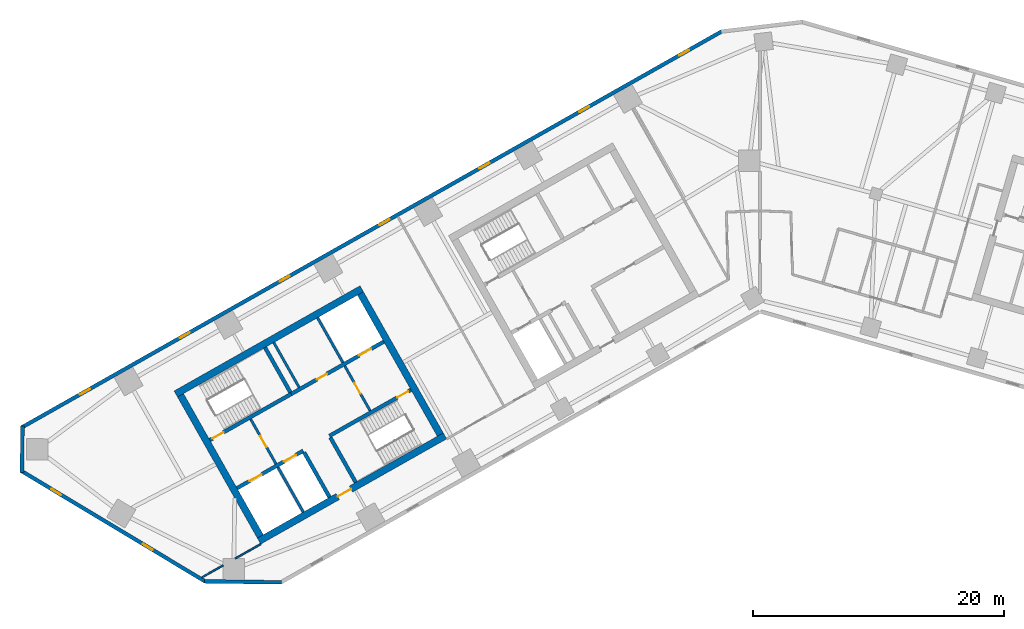
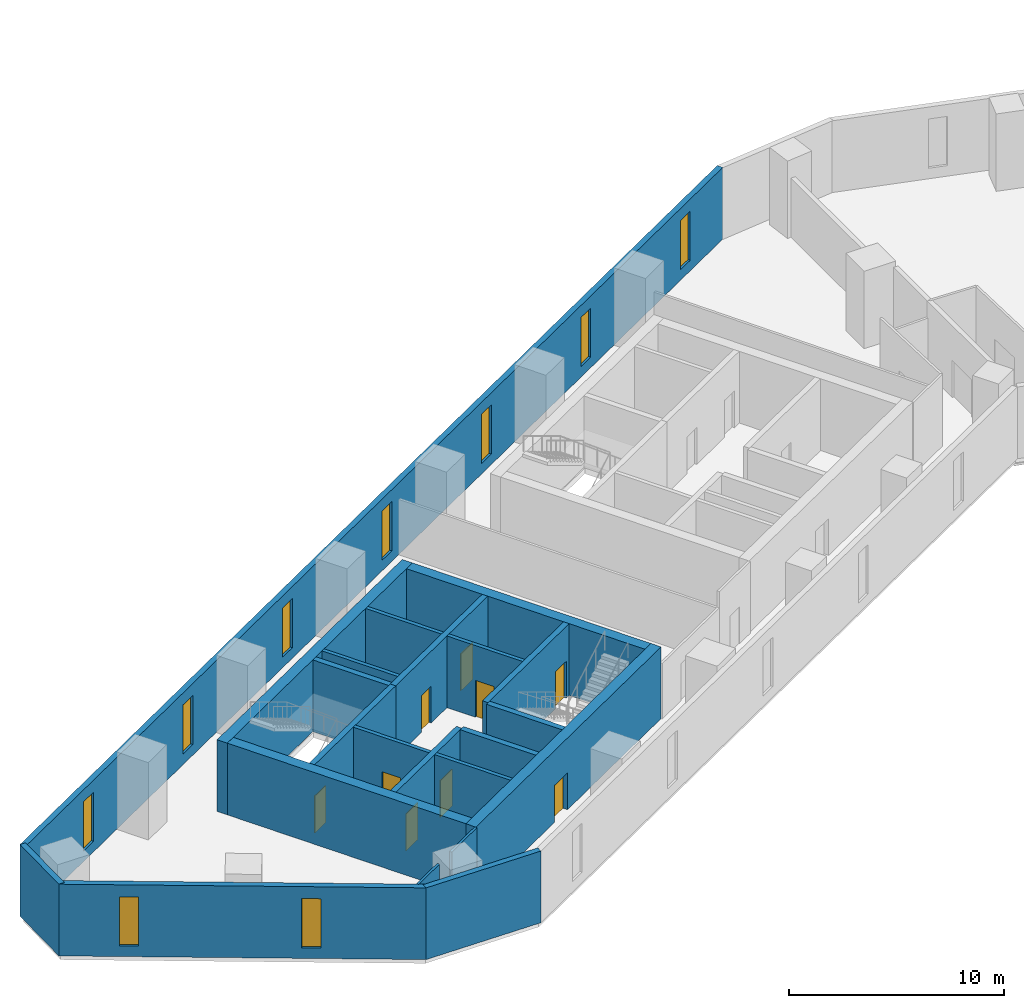
# One storey, part 3 of 10: 22 walls, 9 doors, 9 windows, 18 openings.
"""IFC4 building model written with IfcOpenShell, lengths in metres."""

from ifc_helpers import new_model, si_unit, direction, frame, frame_2d, origin, place, context, subcontext, project, spatial, rectangle, extrude, material, layer, layer_set, type_object, element, fill, save


model = new_model("IFC4")

# Units and contexts
model_context = context("Model", 3, precision=1e-05, world=origin(), true_north=direction((0.0, 1.0)))
body_context = subcontext(model_context, "Body", "Model", "MODEL_VIEW")
ifc_project = project(units=[si_unit("LENGTHUNIT", "METRE"), si_unit("AREAUNIT", "SQUARE_METRE"), si_unit("VOLUMEUNIT", "CUBIC_METRE"), si_unit("PLANEANGLEUNIT", "RADIAN"), si_unit("MASSUNIT", "GRAM", prefix="KILO")], contexts=[model_context])

# Site, building, storey
site_placement = place(None, origin())
site = spatial("IfcSite", under=ifc_project, at=site_placement, CompositionType="ELEMENT")
building_placement = place(site_placement, origin())
building = spatial("IfcBuilding", under=site, at=building_placement, Name="Binnacle Exchange Tower", CompositionType="ELEMENT")
storey_placement = place(building_placement, frame((0.0, 0.0, 101.5)))
storey = spatial("IfcBuildingStorey", under=building, at=storey_placement, Name="L20", CompositionType="ELEMENT", Elevation=101.5)

# Wall, openings, doors
ifc_material_1 = material(Name="Concrete C70/85", Category="concrete")
ifc_layer_1 = layer(ifc_material_1, 0.300048828125)
ifc_layer_set_1 = layer_set([ifc_layer_1], Name="Core wall - front 300")
wall_type_1 = type_object("IfcWallType", Name="Core wall - front 300", PredefinedType="SOLIDWALL", material=ifc_layer_set_1)
wall_1_placement = place(storey_placement, frame((-41.599609375, 33.936279296875, 0.0), z_axis=(0.0, 0.0, 1.0), x_axis=(0.870348557882, 0.492436176365, 0.0)))
wall_1 = element("IfcWall", 1, at=wall_1_placement, inside=storey, type_object=wall_type_1, Name="Core wall CRWA2", PredefinedType="SOLIDWALL", context=body_context, shape_type="SweptSolid", body=[
    extrude(rectangle(XDim=6.050048828125, YDim=0.300048828125, at=frame_2d((3.02490234375, 0.0))), origin(), (0.0, 0.0, 1.0), 4.080078125),
])
opening_1_placement = place(wall_1_placement, frame((1.14990234375, 0.0, 0.0)))
opening_1 = element("IfcOpeningElement", 2, at=opening_1_placement, cuts=wall_1, Name="Opening LD12", PredefinedType="OPENING", context=body_context, shape_type="SweptSolid", body=[
    extrude(rectangle(XDim=1.10009765625, YDim=2.10009765625, at=frame_2d((0.550048828125, 1.050048828125))), frame((0.0, 0.159912109375, 0.0), z_axis=(0.0, -1.0, 0.0), x_axis=(1.0, 0.0, 0.0)), (0.0, 0.0, 1.0), 0.320068359375),
])
opening_2_placement = place(wall_1_placement, frame((4.300048828125, 0.0, 0.0)))
opening_2 = element("IfcOpeningElement", 3, at=opening_2_placement, cuts=wall_1, Name="Opening LD8", PredefinedType="OPENING", context=body_context, shape_type="SweptSolid", body=[
    extrude(rectangle(XDim=1.10009765625, YDim=2.10009765625, at=frame_2d((0.550048828125, 1.050048828125))), frame((0.0, 0.159912109375, 0.0), z_axis=(0.0, -1.0, 0.0), x_axis=(1.0, 0.0, 0.0)), (0.0, 0.0, 1.0), 0.320068359375),
])
ifc_material_2 = material(Name="Steel door leaf", Category="steel")
door_type_1 = type_object("IfcDoorType", Name="Fire door - lift landing 1100", OperationType="NOTDEFINED", PredefinedType="DOOR", material=ifc_material_2)
door_1_placement = place(opening_1_placement, origin())
door_1 = element("IfcDoor", 4, at=door_1_placement, inside=storey, type_object=door_type_1, Name="Landing door LD12 L20", OperationType="DOUBLE_DOOR_SLIDING", OverallHeight=2.10009765625, OverallWidth=1.10009765625, PredefinedType="DOOR", context=body_context, shape_type="SweptSolid", body=[
    extrude(rectangle(XDim=1.10009765625, YDim=2.10009765625, at=frame_2d((0.550048828125, 1.050048828125))), frame((0.0, 0.02490234375, 0.0), z_axis=(0.0, -1.0, 0.0), x_axis=(1.0, 0.0, 0.0)), (0.0, 0.0, 1.0), 0.050048828125),
])
fill(opening_1, door_1)
door_2_placement = place(opening_2_placement, origin())
door_2 = element("IfcDoor", 5, at=door_2_placement, inside=storey, type_object=door_type_1, Name="Landing door LD8 L20", OperationType="DOUBLE_DOOR_SLIDING", OverallHeight=2.10009765625, OverallWidth=1.10009765625, PredefinedType="DOOR", context=body_context, shape_type="SweptSolid", body=[
    extrude(rectangle(XDim=1.10009765625, YDim=2.10009765625, at=frame_2d((0.550048828125, 1.050048828125))), frame((0.0, 0.02490234375, 0.0), z_axis=(0.0, -1.0, 0.0), x_axis=(1.0, 0.0, 0.0)), (0.0, 0.0, 1.0), 0.050048828125),
])
fill(opening_2, door_2)

wall_2_placement = place(storey_placement, frame((-37.281982421875, 41.4345703125, 0.0), z_axis=(0.0, 0.0, 1.0), x_axis=(0.870359895813, 0.492416136779, 0.0)))
wall_2 = element("IfcWall", 6, at=wall_2_placement, inside=storey, type_object=wall_type_1, Name="Core wall CRWA5", PredefinedType="SOLIDWALL", context=body_context, shape_type="SweptSolid", body=[
    extrude(rectangle(XDim=8.449951171875, YDim=0.300048828125, at=frame_2d((4.22509765625, 0.0))), origin(), (0.0, 0.0, 1.0), 4.080078125),
])
opening_3_placement = place(wall_2_placement, frame((6.199951171875, 0.0, 0.0)))
opening_3 = element("IfcOpeningElement", 7, at=opening_3_placement, cuts=wall_2, Name="Opening LD13", PredefinedType="OPENING", context=body_context, shape_type="SweptSolid", body=[
    extrude(rectangle(XDim=1.10009765625, YDim=2.10009765625, at=frame_2d((0.550048828125, 1.050048828125))), frame((0.0, 0.159912109375, 0.0), z_axis=(0.0, -1.0, 0.0), x_axis=(1.0, 0.0, 0.0)), (0.0, 0.0, 1.0), 0.320068359375),
])
opening_4_placement = place(wall_2_placement, frame((2.35009765625, 0.0, 0.0)))
opening_4 = element("IfcOpeningElement", 8, at=opening_4_placement, cuts=wall_2, Name="Opening DA10", PredefinedType="OPENING", context=body_context, shape_type="SweptSolid", body=[
    extrude(rectangle(XDim=0.89990234375, YDim=2.10009765625, at=frame_2d((0.449951171875, 1.050048828125))), frame((0.0, 0.159912109375, 0.0), z_axis=(0.0, -1.0, 0.0), x_axis=(1.0, 0.0, 0.0)), (0.0, 0.0, 1.0), 0.320068359375),
])
door_3_placement = place(opening_3_placement, origin())
door_3 = element("IfcDoor", 9, at=door_3_placement, inside=storey, type_object=door_type_1, Name="Landing door LD13 L20", OperationType="DOUBLE_DOOR_SLIDING", OverallHeight=2.10009765625, OverallWidth=1.10009765625, PredefinedType="DOOR", context=body_context, shape_type="SweptSolid", body=[
    extrude(rectangle(XDim=1.10009765625, YDim=2.10009765625, at=frame_2d((0.550048828125, 1.050048828125))), frame((0.0, 0.02490234375, 0.0), z_axis=(0.0, -1.0, 0.0), x_axis=(1.0, 0.0, 0.0)), (0.0, 0.0, 1.0), 0.050048828125),
])
fill(opening_3, door_3)
door_type_2 = type_object("IfcDoorType", Name="Fire door 900", OperationType="NOTDEFINED", PredefinedType="DOOR", material=ifc_material_2)
door_4_placement = place(opening_4_placement, origin())
door_4 = element("IfcDoor", 10, at=door_4_placement, inside=storey, type_object=door_type_2, Name="Core room door PANTRY", OperationType="SINGLE_SWING_LEFT", OverallHeight=2.10009765625, OverallWidth=0.89990234375, PredefinedType="DOOR", context=body_context, shape_type="SweptSolid", body=[
    extrude(rectangle(XDim=0.89990234375, YDim=2.10009765625, at=frame_2d((0.449951171875, 1.050048828125))), frame((0.0, 0.02490234375, 0.0), z_axis=(0.0, -1.0, 0.0), x_axis=(1.0, 0.0, 0.0)), (0.0, 0.0, 1.0), 0.050048828125),
])
fill(opening_4, door_4)

# Wall
wall_3_placement = place(storey_placement, frame((-36.260009765625, 36.784912109375, 0.0), z_axis=(0.0, 0.0, 1.0), x_axis=(0.492408451753, -0.87036424366, 0.0)))
element("IfcWall", 11, at=wall_3_placement, inside=storey, type_object=wall_type_1, Name="Core wall CRWA13", PredefinedType="SOLIDWALL", context=body_context, shape_type="SweptSolid", body=[
    extrude(rectangle(XDim=4.099853515625, YDim=0.300048828125, at=frame_2d((2.0498046875, 0.0))), origin(), (0.0, 0.0, 1.0), 4.080078125),
])

# Wall, opening, door
ifc_layer_2 = layer(ifc_material_1, 0.550048828125)
ifc_layer_set_2 = layer_set([ifc_layer_2], Name="Core wall - outer 550")
wall_type_2 = type_object("IfcWallType", Name="Core wall - outer 550", PredefinedType="SOLIDWALL", material=ifc_layer_set_2)
wall_4_placement = place(storey_placement, frame((-39.85009765625, 29.727294921875, 0.0), z_axis=(0.0, 0.0, 1.0), x_axis=(0.870359753402, 0.492416388494, 0.0)))
wall_4 = element("IfcWall", 12, at=wall_4_placement, inside=storey, type_object=wall_type_2, Name="Core wall CRWA1", PredefinedType="SOLIDWALL", context=body_context, shape_type="SweptSolid", body=[
    extrude(rectangle(XDim=17.0, YDim=0.550048828125, at=frame_2d((8.5, 0.0))), origin(), (0.0, 0.0, 1.0), 4.080078125),
])
opening_5_placement = place(wall_4_placement, frame((7.199951171875, 0.0, 0.0)))
opening_5 = element("IfcOpeningElement", 13, at=opening_5_placement, cuts=wall_4, Name="Opening DA7", PredefinedType="OPENING", context=body_context, shape_type="SweptSolid", body=[
    extrude(rectangle(XDim=1.199951171875, YDim=2.10009765625, at=frame_2d((0.60009765625, 1.050048828125))), frame((0.0, 0.284912109375, 0.0), z_axis=(0.0, -1.0, 0.0), x_axis=(1.0, 0.0, 0.0)), (0.0, 0.0, 1.0), 0.570068359375),
])
door_type_3 = type_object("IfcDoorType", Name="Fire door 1200", OperationType="NOTDEFINED", PredefinedType="DOOR", material=ifc_material_2)
door_5_placement = place(opening_5_placement, frame((1.199951171875, 0.0, 0.0), z_axis=(0.0, 0.0, 1.0), x_axis=(-1.0, 0.0, 0.0)))
door_5 = element("IfcDoor", 14, at=door_5_placement, inside=storey, type_object=door_type_3, Name="Lift lobby entrance door core A", OperationType="SINGLE_SWING_RIGHT", OverallHeight=2.10009765625, OverallWidth=1.199951171875, PredefinedType="DOOR", context=body_context, shape_type="SweptSolid", body=[
    extrude(rectangle(XDim=1.199951171875, YDim=2.10009765625, at=frame_2d((0.60009765625, 1.050048828125))), frame((0.0, 0.02490234375, 0.0), z_axis=(0.0, -1.0, 0.0), x_axis=(1.0, 0.0, 0.0)), (0.0, 0.0, 1.0), 0.050048828125),
])
fill(opening_5, door_5)

# Walls
wall_5_placement = place(storey_placement, frame((-46.47314453125, 41.43359375, 0.0), z_axis=(0.0, 0.0, 1.0), x_axis=(0.870359753402, 0.492416388494, 0.0)))
element("IfcWall", 15, at=wall_5_placement, inside=storey, type_object=wall_type_2, Name="Core wall CRWA6", PredefinedType="SOLIDWALL", context=body_context, shape_type="SweptSolid", body=[
    extrude(rectangle(XDim=17.0, YDim=0.550048828125, at=frame_2d((8.5, 0.0))), origin(), (0.0, 0.0, 1.0), 4.080078125),
])
wall_6_placement = place(storey_placement, frame((-46.098388671875, 41.32958984375, 0.0), z_axis=(0.0, 0.0, 1.0), x_axis=(0.492418910884, -0.870358326325, 0.0)))
element("IfcWall", 16, at=wall_6_placement, inside=storey, type_object=wall_type_2, Name="Core wall CRWA7", PredefinedType="SOLIDWALL", context=body_context, shape_type="SweptSolid", body=[
    extrude(rectangle(XDim=12.900146484375, YDim=0.550048828125, at=frame_2d((6.4501953125, 0.0))), origin(), (0.0, 0.0, 1.0), 4.080078125),
])
wall_7_placement = place(storey_placement, frame((-31.781005859375, 49.429931640625, 0.0), z_axis=(0.0, 0.0, 1.0), x_axis=(0.492427022044, -0.870353737259, 0.0)))
element("IfcWall", 17, at=wall_7_placement, inside=storey, type_object=wall_type_2, Name="Core wall CRWA22", PredefinedType="SOLIDWALL", context=body_context, shape_type="SweptSolid", body=[
    extrude(rectangle(XDim=12.89990234375, YDim=0.550048828125, at=frame_2d((6.449951171875, 0.0))), origin(), (0.0, 0.0, 1.0), 4.080078125),
])

# Wall, opening, door
ifc_layer_3 = layer(ifc_material_1, 0.300048828125)
ifc_layer_set_3 = layer_set([ifc_layer_3], Name="Core wall - stair 300")
wall_type_3 = type_object("IfcWallType", Name="Core wall - stair 300", PredefinedType="SOLIDWALL", material=ifc_layer_set_3)
wall_8_placement = place(storey_placement, frame((-34.2451171875, 38.097412109375, 0.0), z_axis=(0.0, 0.0, 1.0), x_axis=(0.870360741098, 0.49241464271, 0.0)))
wall_8 = element("IfcWall", 18, at=wall_8_placement, inside=storey, type_object=wall_type_3, Name="Core wall CRWA3", PredefinedType="SOLIDWALL", context=body_context, shape_type="SweptSolid", body=[
    extrude(rectangle(XDim=7.449951171875, YDim=0.300048828125, at=frame_2d((3.72509765625, 0.0))), origin(), (0.0, 0.0, 1.0), 4.080078125),
])
opening_6_placement = place(wall_8_placement, frame((6.199951171875, 0.0, 0.0)))
opening_6 = element("IfcOpeningElement", 19, at=opening_6_placement, cuts=wall_8, Name="Opening DA2", PredefinedType="OPENING", context=body_context, shape_type="SweptSolid", body=[
    extrude(rectangle(XDim=1.0, YDim=2.10009765625, at=frame_2d((0.5, 1.050048828125))), frame((0.0, 0.159912109375, 0.0), z_axis=(0.0, -1.0, 0.0), x_axis=(1.0, 0.0, 0.0)), (0.0, 0.0, 1.0), 0.320068359375),
])
door_type_4 = type_object("IfcDoorType", Name="Fire door 1000", OperationType="NOTDEFINED", PredefinedType="DOOR", material=ifc_material_2)
door_6_placement = place(opening_6_placement, frame((1.0, 0.0, 0.0), z_axis=(0.0, 0.0, 1.0), x_axis=(-1.0, 0.0, 0.0)))
door_6 = element("IfcDoor", 20, at=door_6_placement, inside=storey, type_object=door_type_4, Name="Stair door ST-A2", OperationType="SINGLE_SWING_LEFT", OverallHeight=2.10009765625, OverallWidth=1.0, PredefinedType="DOOR", context=body_context, shape_type="SweptSolid", body=[
    extrude(rectangle(XDim=1.0, YDim=2.10009765625, at=frame_2d((0.5, 1.050048828125))), frame((0.0, 0.02490234375, 0.0), z_axis=(0.0, -1.0, 0.0), x_axis=(1.0, 0.0, 0.0)), (0.0, 0.0, 1.0), 0.050048828125),
])
fill(opening_6, door_6)

wall_9_placement = place(storey_placement, frame((-43.76611328125, 37.765869140625, 0.0), z_axis=(0.0, 0.0, 1.0), x_axis=(0.870346696097, 0.492439466932, 0.0)))
wall_9 = element("IfcWall", 21, at=wall_9_placement, inside=storey, type_object=wall_type_3, Name="Core wall CRWA4", PredefinedType="SOLIDWALL", context=body_context, shape_type="SweptSolid", body=[
    extrude(rectangle(XDim=7.449951171875, YDim=0.300048828125, at=frame_2d((3.72509765625, 0.0))), origin(), (0.0, 0.0, 1.0), 4.080078125),
])
opening_7_placement = place(wall_9_placement, frame((0.25, 0.0, 0.0)))
opening_7 = element("IfcOpeningElement", 22, at=opening_7_placement, cuts=wall_9, Name="Opening DA1", PredefinedType="OPENING", context=body_context, shape_type="SweptSolid", body=[
    extrude(rectangle(XDim=1.0, YDim=2.10009765625, at=frame_2d((0.5, 1.050048828125))), frame((0.0, 0.159912109375, 0.0), z_axis=(0.0, -1.0, 0.0), x_axis=(1.0, 0.0, 0.0)), (0.0, 0.0, 1.0), 0.320068359375),
])
door_7_placement = place(opening_7_placement, origin())
door_7 = element("IfcDoor", 23, at=door_7_placement, inside=storey, type_object=door_type_4, Name="Stair door ST-A1", OperationType="SINGLE_SWING_LEFT", OverallHeight=2.10009765625, OverallWidth=1.0, PredefinedType="DOOR", context=body_context, shape_type="SweptSolid", body=[
    extrude(rectangle(XDim=1.0, YDim=2.10009765625, at=frame_2d((0.5, 1.050048828125))), frame((0.0, 0.02490234375, 0.0), z_axis=(0.0, -1.0, 0.0), x_axis=(1.0, 0.0, 0.0)), (0.0, 0.0, 1.0), 0.050048828125),
])
fill(opening_7, door_7)

# Walls
for number, where, z_axis, x_axis, name in (
    (24, (-39.375, 45.133544921875, 0.0), (0.0, 0.0, 1.0), (0.492428039142, -0.870353161807, 0.0), "Core wall CRWA14"),
    (25, (-34.171142578125, 37.966796875, 0.0), (0.0, 0.0, 1.0), (0.492382931784, -0.870378681085, 0.0), "Core wall CRWA16"),
):
    element("IfcWall", number, at=place(storey_placement, frame(where, z_axis=z_axis, x_axis=x_axis)), inside=storey, type_object=wall_type_3, Name=name, PredefinedType="SOLIDWALL", context=body_context, shape_type="SweptSolid", body=[
        extrude(rectangle(XDim=4.10009765625, YDim=0.300048828125, at=frame_2d((2.050048828125, 0.0))), origin(), (0.0, 0.0, 1.0), 4.080078125),
    ])

# Wall, openings, windows
ifc_material_3 = material(Name="Bronze aluminium cladding", Category="aluminium")
ifc_layer_4 = layer(ifc_material_3, 0.300048828125)
ifc_layer_set_4 = layer_set([ifc_layer_4], Name="External wall - spandrel 300")
wall_type_4 = type_object("IfcWallType", Name="External wall - spandrel 300", PredefinedType="STANDARD", material=ifc_layer_set_4)
wall_10_placement = place(storey_placement, frame((-58.744873046875, 38.763671875, 0.0), z_axis=(0.0, 0.0, 1.0), x_axis=(0.870355811726, 0.492423355453, 0.0)))
wall_10 = element("IfcWall", 26, at=wall_10_placement, inside=storey, type_object=wall_type_4, Name="External wall EW-F03 L20", PredefinedType="STANDARD", context=body_context, shape_type="SweptSolid", body=[
    extrude(rectangle(XDim=64.025390625, YDim=0.300048828125, at=frame_2d((32.0126953125, 0.0))), origin(), (0.0, 0.0, 1.0), 4.080078125),
])
opening_8_placement = place(wall_10_placement, frame((60.12158203125, 0.0, 0.60009765625)))
opening_8 = element("IfcOpeningElement", 27, at=opening_8_placement, cuts=wall_10, Name="Opening WS2", PredefinedType="OPENING", context=body_context, shape_type="SweptSolid", body=[
    extrude(rectangle(XDim=0.89990234375, YDim=2.800048828125, at=frame_2d((0.449951171875, 1.39990234375))), frame((0.0, 0.159912109375, 0.0), z_axis=(0.0, -1.0, 0.0), x_axis=(1.0, 0.0, 0.0)), (0.0, 0.0, 1.0), 0.320068359375),
])
opening_9_placement = place(wall_10_placement, frame((50.99169921875, 0.0, 0.60009765625)))
opening_9 = element("IfcOpeningElement", 28, at=opening_9_placement, cuts=wall_10, Name="Opening WS2", PredefinedType="OPENING", context=body_context, shape_type="SweptSolid", body=[
    extrude(rectangle(XDim=0.89990234375, YDim=2.800048828125, at=frame_2d((0.449951171875, 1.39990234375))), frame((0.0, 0.159912109375, 0.0), z_axis=(0.0, -1.0, 0.0), x_axis=(1.0, 0.0, 0.0)), (0.0, 0.0, 1.0), 0.320068359375),
])
opening_10_placement = place(wall_10_placement, frame((41.86181640625, 0.0, 0.60009765625)))
opening_10 = element("IfcOpeningElement", 29, at=opening_10_placement, cuts=wall_10, Name="Opening WS2", PredefinedType="OPENING", context=body_context, shape_type="SweptSolid", body=[
    extrude(rectangle(XDim=0.89990234375, YDim=2.800048828125, at=frame_2d((0.449951171875, 1.39990234375))), frame((0.0, 0.159912109375, 0.0), z_axis=(0.0, -1.0, 0.0), x_axis=(1.0, 0.0, 0.0)), (0.0, 0.0, 1.0), 0.320068359375),
])
opening_11_placement = place(wall_10_placement, frame((32.73193359375, 0.0, 0.60009765625)))
opening_11 = element("IfcOpeningElement", 30, at=opening_11_placement, cuts=wall_10, Name="Opening WS2", PredefinedType="OPENING", context=body_context, shape_type="SweptSolid", body=[
    extrude(rectangle(XDim=0.89990234375, YDim=2.800048828125, at=frame_2d((0.449951171875, 1.39990234375))), frame((0.0, 0.159912109375, 0.0), z_axis=(0.0, -1.0, 0.0), x_axis=(1.0, 0.0, 0.0)), (0.0, 0.0, 1.0), 0.320068359375),
])
opening_12_placement = place(wall_10_placement, frame((23.60205078125, 0.0, 0.60009765625)))
opening_12 = element("IfcOpeningElement", 31, at=opening_12_placement, cuts=wall_10, Name="Opening WS2", PredefinedType="OPENING", context=body_context, shape_type="SweptSolid", body=[
    extrude(rectangle(XDim=0.89990234375, YDim=2.800048828125, at=frame_2d((0.449951171875, 1.39990234375))), frame((0.0, 0.159912109375, 0.0), z_axis=(0.0, -1.0, 0.0), x_axis=(1.0, 0.0, 0.0)), (0.0, 0.0, 1.0), 0.320068359375),
])
opening_13_placement = place(wall_10_placement, frame((14.47216796875, 0.0, 0.60009765625)))
opening_13 = element("IfcOpeningElement", 32, at=opening_13_placement, cuts=wall_10, Name="Opening WS2", PredefinedType="OPENING", context=body_context, shape_type="SweptSolid", body=[
    extrude(rectangle(XDim=0.89990234375, YDim=2.800048828125, at=frame_2d((0.449951171875, 1.39990234375))), frame((0.0, 0.159912109375, 0.0), z_axis=(0.0, -1.0, 0.0), x_axis=(1.0, 0.0, 0.0)), (0.0, 0.0, 1.0), 0.320068359375),
])
opening_14_placement = place(wall_10_placement, frame((5.34228515625, 0.0, 0.60009765625)))
opening_14 = element("IfcOpeningElement", 33, at=opening_14_placement, cuts=wall_10, Name="Opening WS2", PredefinedType="OPENING", context=body_context, shape_type="SweptSolid", body=[
    extrude(rectangle(XDim=0.89990234375, YDim=2.800048828125, at=frame_2d((0.449951171875, 1.39990234375))), frame((0.0, 0.159912109375, 0.0), z_axis=(0.0, -1.0, 0.0), x_axis=(1.0, 0.0, 0.0)), (0.0, 0.0, 1.0), 0.320068359375),
])
ifc_material_4 = material(Name="Bronze anodised aluminium frame", Category="aluminium")
window_type = type_object("IfcWindowType", Name="WS2 WINDOW 900x2800", PartitioningType="SINGLE_PANEL", PredefinedType="WINDOW", material=ifc_material_4)
window_1_placement = place(opening_8_placement, origin())
window_1 = element("IfcWindow", 34, at=window_1_placement, inside=storey, type_object=window_type, Name="Window WS2 L20", OverallHeight=2.800048828125, OverallWidth=0.89990234375, PartitioningType="SINGLE_PANEL", PredefinedType="WINDOW", context=body_context, shape_type="SweptSolid", body=[
    extrude(rectangle(XDim=0.89990234375, YDim=2.800048828125, at=frame_2d((0.449951171875, 1.39990234375))), frame((0.0, 0.030029296875, 0.0), z_axis=(0.0, -1.0, 0.0), x_axis=(1.0, 0.0, 0.0)), (0.0, 0.0, 1.0), 0.06005859375),
])
fill(opening_8, window_1)
window_2_placement = place(opening_9_placement, origin())
window_2 = element("IfcWindow", 35, at=window_2_placement, inside=storey, type_object=window_type, Name="Window WS2 L20", OverallHeight=2.800048828125, OverallWidth=0.89990234375, PartitioningType="SINGLE_PANEL", PredefinedType="WINDOW", context=body_context, shape_type="SweptSolid", body=[
    extrude(rectangle(XDim=0.89990234375, YDim=2.800048828125, at=frame_2d((0.449951171875, 1.39990234375))), frame((0.0, 0.030029296875, 0.0), z_axis=(0.0, -1.0, 0.0), x_axis=(1.0, 0.0, 0.0)), (0.0, 0.0, 1.0), 0.06005859375),
])
fill(opening_9, window_2)
window_3_placement = place(opening_10_placement, origin())
window_3 = element("IfcWindow", 36, at=window_3_placement, inside=storey, type_object=window_type, Name="Window WS2 L20", OverallHeight=2.800048828125, OverallWidth=0.89990234375, PartitioningType="SINGLE_PANEL", PredefinedType="WINDOW", context=body_context, shape_type="SweptSolid", body=[
    extrude(rectangle(XDim=0.89990234375, YDim=2.800048828125, at=frame_2d((0.449951171875, 1.39990234375))), frame((0.0, 0.030029296875, 0.0), z_axis=(0.0, -1.0, 0.0), x_axis=(1.0, 0.0, 0.0)), (0.0, 0.0, 1.0), 0.06005859375),
])
fill(opening_10, window_3)
window_4_placement = place(opening_11_placement, origin())
window_4 = element("IfcWindow", 37, at=window_4_placement, inside=storey, type_object=window_type, Name="Window WS2 L20", OverallHeight=2.800048828125, OverallWidth=0.89990234375, PartitioningType="SINGLE_PANEL", PredefinedType="WINDOW", context=body_context, shape_type="SweptSolid", body=[
    extrude(rectangle(XDim=0.89990234375, YDim=2.800048828125, at=frame_2d((0.449951171875, 1.39990234375))), frame((0.0, 0.030029296875, 0.0), z_axis=(0.0, -1.0, 0.0), x_axis=(1.0, 0.0, 0.0)), (0.0, 0.0, 1.0), 0.06005859375),
])
fill(opening_11, window_4)
window_5_placement = place(opening_12_placement, origin())
window_5 = element("IfcWindow", 38, at=window_5_placement, inside=storey, type_object=window_type, Name="Window WS2 L20", OverallHeight=2.800048828125, OverallWidth=0.89990234375, PartitioningType="SINGLE_PANEL", PredefinedType="WINDOW", context=body_context, shape_type="SweptSolid", body=[
    extrude(rectangle(XDim=0.89990234375, YDim=2.800048828125, at=frame_2d((0.449951171875, 1.39990234375))), frame((0.0, 0.030029296875, 0.0), z_axis=(0.0, -1.0, 0.0), x_axis=(1.0, 0.0, 0.0)), (0.0, 0.0, 1.0), 0.06005859375),
])
fill(opening_12, window_5)
window_6_placement = place(opening_13_placement, origin())
window_6 = element("IfcWindow", 39, at=window_6_placement, inside=storey, type_object=window_type, Name="Window WS2 L20", OverallHeight=2.800048828125, OverallWidth=0.89990234375, PartitioningType="SINGLE_PANEL", PredefinedType="WINDOW", context=body_context, shape_type="SweptSolid", body=[
    extrude(rectangle(XDim=0.89990234375, YDim=2.800048828125, at=frame_2d((0.449951171875, 1.39990234375))), frame((0.0, 0.030029296875, 0.0), z_axis=(0.0, -1.0, 0.0), x_axis=(1.0, 0.0, 0.0)), (0.0, 0.0, 1.0), 0.06005859375),
])
fill(opening_13, window_6)
window_7_placement = place(opening_14_placement, origin())
window_7 = element("IfcWindow", 40, at=window_7_placement, inside=storey, type_object=window_type, Name="Window WS2 L20", OverallHeight=2.800048828125, OverallWidth=0.89990234375, PartitioningType="SINGLE_PANEL", PredefinedType="WINDOW", context=body_context, shape_type="SweptSolid", body=[
    extrude(rectangle(XDim=0.89990234375, YDim=2.800048828125, at=frame_2d((0.449951171875, 1.39990234375))), frame((0.0, 0.030029296875, 0.0), z_axis=(0.0, -1.0, 0.0), x_axis=(1.0, 0.0, 0.0)), (0.0, 0.0, 1.0), 0.06005859375),
])
fill(opening_14, window_7)

# Wall
wall_11_placement = place(storey_placement, frame((-58.717041015625, 35.19384765625, 0.0), z_axis=(0.0, 0.0, 1.0), x_axis=(0.013069053407, 0.999914596275, 0.0)))
element("IfcWall", 41, at=wall_11_placement, inside=storey, type_object=wall_type_4, Name="External wall EW-F04 L20", PredefinedType="STANDARD", context=body_context, shape_type="SweptSolid", body=[
    extrude(rectangle(XDim=3.69873046875, YDim=0.300048828125, at=frame_2d((1.849365234375, 0.0))), origin(), (0.0, 0.0, 1.0), 4.080078125),
])

# Wall, openings, windows
wall_12_placement = place(storey_placement, frame((-44.109375, 26.503662109375, 0.0), z_axis=(0.0, 0.0, 1.0), x_axis=(-0.857169502585, 0.515034410344, 0.0)))
wall_12 = element("IfcWall", 42, at=wall_12_placement, inside=storey, type_object=wall_type_4, Name="External wall EW-F05 L20", PredefinedType="STANDARD", context=body_context, shape_type="SweptSolid", body=[
    extrude(rectangle(XDim=17.126708984375, YDim=0.300048828125, at=frame_2d((8.5634765625, 0.0))), origin(), (0.0, 0.0, 1.0), 4.080078125),
])
opening_15_placement = place(wall_12_placement, frame((13.403076171875, 0.0, 0.60009765625)))
opening_15 = element("IfcOpeningElement", 43, at=opening_15_placement, cuts=wall_12, Name="Opening WS2", PredefinedType="OPENING", context=body_context, shape_type="SweptSolid", body=[
    extrude(rectangle(XDim=0.89990234375, YDim=2.800048828125, at=frame_2d((0.449951171875, 1.39990234375))), frame((0.0, 0.159912109375, 0.0), z_axis=(0.0, -1.0, 0.0), x_axis=(1.0, 0.0, 0.0)), (0.0, 0.0, 1.0), 0.320068359375),
])
opening_16_placement = place(wall_12_placement, frame((4.903076171875, 0.0, 0.60009765625)))
opening_16 = element("IfcOpeningElement", 44, at=opening_16_placement, cuts=wall_12, Name="Opening WS2", PredefinedType="OPENING", context=body_context, shape_type="SweptSolid", body=[
    extrude(rectangle(XDim=0.89990234375, YDim=2.800048828125, at=frame_2d((0.449951171875, 1.39990234375))), frame((0.0, 0.159912109375, 0.0), z_axis=(0.0, -1.0, 0.0), x_axis=(1.0, 0.0, 0.0)), (0.0, 0.0, 1.0), 0.320068359375),
])
window_8_placement = place(opening_15_placement, origin())
window_8 = element("IfcWindow", 45, at=window_8_placement, inside=storey, type_object=window_type, Name="Window WS2 L20", OverallHeight=2.800048828125, OverallWidth=0.89990234375, PartitioningType="SINGLE_PANEL", PredefinedType="WINDOW", context=body_context, shape_type="SweptSolid", body=[
    extrude(rectangle(XDim=0.89990234375, YDim=2.800048828125, at=frame_2d((0.449951171875, 1.39990234375))), frame((0.0, 0.030029296875, 0.0), z_axis=(0.0, -1.0, 0.0), x_axis=(1.0, 0.0, 0.0)), (0.0, 0.0, 1.0), 0.06005859375),
])
fill(opening_15, window_8)
window_9_placement = place(opening_16_placement, origin())
window_9 = element("IfcWindow", 46, at=window_9_placement, inside=storey, type_object=window_type, Name="Window WS2 L20", OverallHeight=2.800048828125, OverallWidth=0.89990234375, PartitioningType="SINGLE_PANEL", PredefinedType="WINDOW", context=body_context, shape_type="SweptSolid", body=[
    extrude(rectangle(XDim=0.89990234375, YDim=2.800048828125, at=frame_2d((0.449951171875, 1.39990234375))), frame((0.0, 0.030029296875, 0.0), z_axis=(0.0, -1.0, 0.0), x_axis=(1.0, 0.0, 0.0)), (0.0, 0.0, 1.0), 0.06005859375),
])
fill(opening_16, window_9)

# Wall
wall_13_placement = place(storey_placement, frame((-38.057373046875, 26.44482421875, 0.0), z_axis=(0.0, 0.0, 1.0), x_axis=(-0.999914086342, 0.013108010296, 0.0)))
element("IfcWall", 47, at=wall_13_placement, inside=storey, type_object=wall_type_4, Name="External wall EW-F06 L20", PredefinedType="STANDARD", context=body_context, shape_type="SweptSolid", body=[
    extrude(rectangle(XDim=6.127685546875, YDim=0.300048828125, at=frame_2d((3.06396484375, 0.0))), origin(), (0.0, 0.0, 1.0), 4.080078125),
])

# Wall, opening, door
ifc_material_5 = material(Name="Masonry block wall", Category="masonry")
ifc_layer_5 = layer(ifc_material_5, 0.199951171875)
ifc_layer_set_5 = layer_set([ifc_layer_5], Name="Fire wall - vestibule 200")
wall_type_5 = type_object("IfcWallType", Name="Fire wall - vestibule 200", PredefinedType="PARTITIONING", material=ifc_layer_set_5)
wall_14_placement = place(storey_placement, frame((-40.515625, 39.4326171875, 0.0), z_axis=(0.0, 0.0, 1.0), x_axis=(0.492453559952, -0.87033872216, 0.0)))
wall_14 = element("IfcWall", 48, at=wall_14_placement, inside=storey, type_object=wall_type_5, Name="Core wall CRWA10", PredefinedType="PARTITIONING", context=body_context, shape_type="SweptSolid", body=[
    extrude(rectangle(XDim=4.099853515625, YDim=0.199951171875, at=frame_2d((2.0498046875, 0.0))), origin(), (0.0, 0.0, 1.0), 4.080078125),
])
opening_17_placement = place(wall_14_placement, frame((1.550048828125, 0.0, 0.0)))
opening_17 = element("IfcOpeningElement", 49, at=opening_17_placement, cuts=wall_14, Name="Opening DA3", PredefinedType="OPENING", context=body_context, shape_type="SweptSolid", body=[
    extrude(rectangle(XDim=1.0, YDim=2.10009765625, at=frame_2d((0.5, 1.050048828125))), frame((0.0, 0.10986328125, 0.0), z_axis=(0.0, -1.0, 0.0), x_axis=(1.0, 0.0, 0.0)), (0.0, 0.0, 1.0), 0.219970703125),
])
door_8_placement = place(opening_17_placement, frame((1.0, 0.0, 0.0), z_axis=(0.0, 0.0, 1.0), x_axis=(-1.0, 0.0, 0.0)))
door_8 = element("IfcDoor", 50, at=door_8_placement, inside=storey, type_object=door_type_4, Name="Vestibule door VEST-W", OperationType="SINGLE_SWING_LEFT", OverallHeight=2.10009765625, OverallWidth=1.0, PredefinedType="DOOR", context=body_context, shape_type="SweptSolid", body=[
    extrude(rectangle(XDim=1.0, YDim=2.10009765625, at=frame_2d((0.5, 1.050048828125))), frame((0.0, 0.02490234375, 0.0), z_axis=(0.0, -1.0, 0.0), x_axis=(1.0, 0.0, 0.0)), (0.0, 0.0, 1.0), 0.050048828125),
])
fill(opening_17, door_8)

wall_15_placement = place(storey_placement, frame((-33.030517578125, 43.66748046875, 0.0), z_axis=(0.0, 0.0, 1.0), x_axis=(0.492408451753, -0.87036424366, 0.0)))
wall_15 = element("IfcWall", 51, at=wall_15_placement, inside=storey, type_object=wall_type_5, Name="Core wall CRWA19", PredefinedType="PARTITIONING", context=body_context, shape_type="SweptSolid", body=[
    extrude(rectangle(XDim=4.099853515625, YDim=0.199951171875, at=frame_2d((2.0498046875, 0.0))), origin(), (0.0, 0.0, 1.0), 4.080078125),
])
opening_18_placement = place(wall_15_placement, frame((1.550048828125, 0.0, 0.0)))
opening_18 = element("IfcOpeningElement", 52, at=opening_18_placement, cuts=wall_15, Name="Opening DA4", PredefinedType="OPENING", context=body_context, shape_type="SweptSolid", body=[
    extrude(rectangle(XDim=1.0, YDim=2.10009765625, at=frame_2d((0.5, 1.050048828125))), frame((0.0, 0.10986328125, 0.0), z_axis=(0.0, -1.0, 0.0), x_axis=(1.0, 0.0, 0.0)), (0.0, 0.0, 1.0), 0.219970703125),
])
door_9_placement = place(opening_18_placement, origin())
door_9 = element("IfcDoor", 53, at=door_9_placement, inside=storey, type_object=door_type_4, Name="Vestibule door VEST-E", OperationType="SINGLE_SWING_RIGHT", OverallHeight=2.10009765625, OverallWidth=1.0, PredefinedType="DOOR", context=body_context, shape_type="SweptSolid", body=[
    extrude(rectangle(XDim=1.0, YDim=2.10009765625, at=frame_2d((0.5, 1.050048828125))), frame((0.0, 0.02490234375, 0.0), z_axis=(0.0, -1.0, 0.0), x_axis=(1.0, 0.0, 0.0)), (0.0, 0.0, 1.0), 0.050048828125),
])
fill(opening_18, door_9)

# Walls
ifc_material_6 = material(Name="Gypsum partition")
ifc_layer_6 = layer(ifc_material_6, 0.125)
ifc_layer_set_6 = layer_set([ifc_layer_6], Name="Partition 125")
wall_type_6 = type_object("IfcWallType", Name="Partition 125", PredefinedType="PARTITIONING", material=ifc_layer_set_6)
wall_16_placement = place(storey_placement, frame((-44.385986328125, 26.844970703125, 0.0), z_axis=(0.0, 0.0, 1.0), x_axis=(0.870226201187, 0.492652371118, 0.0)))
element("IfcWall", 54, at=wall_16_placement, inside=storey, type_object=wall_type_6, Name="Partition W01", PredefinedType="PARTITIONING", context=body_context, shape_type="SweptSolid", body=[
    extrude(rectangle(XDim=1.9326171875, YDim=0.125, at=frame_2d((0.96630859375, 0.0))), origin(), (0.0, 0.0, 1.0), 4.080078125),
])
wall_17_placement = place(storey_placement, frame((-41.738037109375, 28.343017578125, 0.0), z_axis=(0.0, 0.0, 1.0), x_axis=(0.870265350095, 0.492583211676, 0.0)))
element("IfcWall", 55, at=wall_17_placement, inside=storey, type_object=wall_type_6, Name="Partition W02", PredefinedType="PARTITIONING", context=body_context, shape_type="SweptSolid", body=[
    extrude(rectangle(XDim=2.324462890625, YDim=0.125, at=frame_2d((1.162109375, 0.0))), origin(), (0.0, 0.0, 1.0), 4.080078125),
])
ifc_layer_7 = layer(ifc_material_5, 0.199951171875)
ifc_layer_set_7 = layer_set([ifc_layer_7], Name="Riser wall 200")
wall_type_7 = type_object("IfcWallType", Name="Riser wall 200", PredefinedType="SOLIDWALL", material=ifc_layer_set_7)
wall_18_placement = place(storey_placement, frame((-38.6787109375, 45.52734375, 0.0), z_axis=(0.0, 0.0, 1.0), x_axis=(0.492453559952, -0.87033872216, 0.0)))
element("IfcWall", 56, at=wall_18_placement, inside=storey, type_object=wall_type_7, Name="Core wall CRWA15", PredefinedType="SOLIDWALL", context=body_context, shape_type="SweptSolid", body=[
    extrude(rectangle(XDim=4.099853515625, YDim=0.199951171875, at=frame_2d((2.0498046875, 0.0))), origin(), (0.0, 0.0, 1.0), 4.080078125),
])
ifc_layer_8 = layer(ifc_material_5, 0.199951171875)
ifc_layer_set_8 = layer_set([ifc_layer_8], Name="Shaft wall 200")
wall_type_8 = type_object("IfcWallType", Name="Shaft wall 200", PredefinedType="SOLIDWALL", material=ifc_layer_set_8)
wall_19_placement = place(storey_placement, frame((-38.348876953125, 35.603271484375, 0.0), z_axis=(0.0, 0.0, 1.0), x_axis=(0.492382931784, -0.870378681085, 0.0)))
element("IfcWall", 57, at=wall_19_placement, inside=storey, type_object=wall_type_8, Name="Core wall CRWA9", PredefinedType="SOLIDWALL", context=body_context, shape_type="SweptSolid", body=[
    extrude(rectangle(XDim=4.10009765625, YDim=0.199951171875, at=frame_2d((2.050048828125, 0.0))), origin(), (0.0, 0.0, 1.0), 4.080078125),
])
wall_20_placement = place(storey_placement, frame((-35.197265625, 47.4970703125, 0.0), z_axis=(0.0, 0.0, 1.0), x_axis=(0.492453559952, -0.87033872216, 0.0)))
element("IfcWall", 58, at=wall_20_placement, inside=storey, type_object=wall_type_8, Name="Core wall CRWA21", PredefinedType="SOLIDWALL", context=body_context, shape_type="SweptSolid", body=[
    extrude(rectangle(XDim=4.099853515625, YDim=0.199951171875, at=frame_2d((2.0498046875, 0.0))), origin(), (0.0, 0.0, 1.0), 4.080078125),
])

save(model, "model.ifc")
